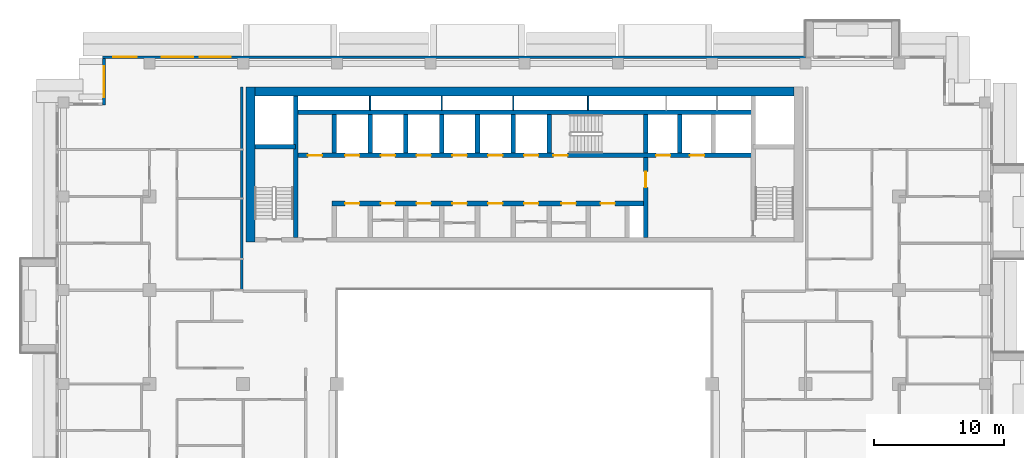
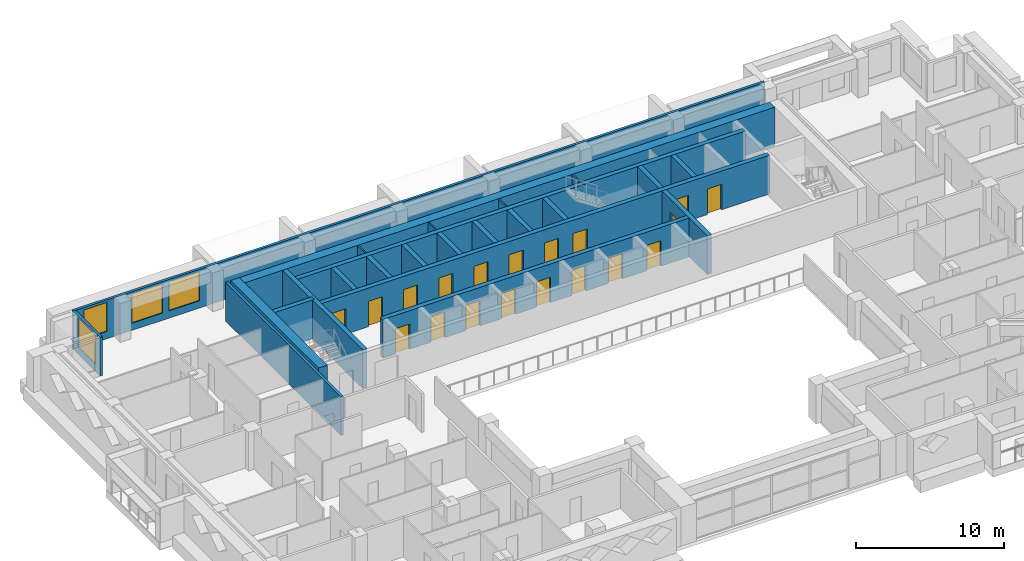
# One storey, part 10 of 20: 24 walls, 19 doors, 4 windows, 23 openings.
"""IFC4 building model written with IfcOpenShell, lengths in metres."""

from ifc_helpers import new_model, si_unit, direction, frame, frame_2d, origin, place, context, subcontext, project, spatial, rectangle, extrude, material, layer, layer_set, type_object, element, fill, save


model = new_model("IFC4")

# Units and contexts
model_context = context("Model", 3, precision=1e-05, world=origin(), true_north=direction((0.0, 1.0)))
body_context = subcontext(model_context, "Body", "Model", "MODEL_VIEW")
ifc_project = project(units=[si_unit("LENGTHUNIT", "METRE"), si_unit("AREAUNIT", "SQUARE_METRE"), si_unit("VOLUMEUNIT", "CUBIC_METRE"), si_unit("PLANEANGLEUNIT", "RADIAN"), si_unit("MASSUNIT", "GRAM", prefix="KILO")], contexts=[model_context])

# Site, building, storey
site_placement = place(None, origin())
site = spatial("IfcSite", under=ifc_project, at=site_placement, CompositionType="ELEMENT")
building_placement = place(site_placement, origin())
building = spatial("IfcBuilding", under=site, at=building_placement, Name="Saffron Iwan Residences", CompositionType="ELEMENT")
storey_placement = place(building_placement, frame((0.0, 0.0, 167.5)))
storey = spatial("IfcBuildingStorey", under=building, at=storey_placement, Name="L44", CompositionType="ELEMENT", Elevation=167.5)

# Wall, openings, windows
ifc_material_1 = material(Name="Concrete C40/50", Category="concrete")
ifc_layer_1 = layer(ifc_material_1, 0.199951171875)
ifc_layer_set_1 = layer_set([ifc_layer_1], Name="Concrete C40/50")
wall_type_1 = type_object("IfcWallType", Name="EXTERNAL WALL 200", PredefinedType="SOLIDWALL", material=ifc_layer_set_1)
wall_1_placement = place(storey_placement, frame((72.0, 80.300048828125, 0.0), z_axis=(0.0, 0.0, 1.0), x_axis=(-1.0, 0.0, 0.0)))
wall_1 = element("IfcWall", 1, at=wall_1_placement, inside=storey, type_object=wall_type_1, Name="External wall L44 F5.2", PredefinedType="SOLIDWALL", context=body_context, shape_type="SweptSolid", body=[
    extrude(rectangle(XDim=54.0, YDim=0.199951171875, at=frame_2d((27.0, 0.0))), origin(), (0.0, 0.0, 1.0), 3.199951171875),
])
opening_1_placement = place(wall_1_placement, frame((44.158203125, 0.0, 0.60009765625)))
opening_1 = element("IfcOpeningElement", 2, at=opening_1_placement, cuts=wall_1, Name="Opening W1", PredefinedType="OPENING", context=body_context, shape_type="SweptSolid", body=[
    extrude(rectangle(XDim=2.39990234375, YDim=2.39990234375, at=frame_2d((1.199951171875, 1.199951171875))), frame((0.0, 0.10986328125, 0.0), z_axis=(0.0, -1.0, 0.0), x_axis=(1.0, 0.0, 0.0)), (0.0, 0.0, 1.0), 0.219970703125),
])
opening_2_placement = place(wall_1_placement, frame((47.041748046875, 0.0, 0.60009765625)))
opening_2 = element("IfcOpeningElement", 3, at=opening_2_placement, cuts=wall_1, Name="Opening W1", PredefinedType="OPENING", context=body_context, shape_type="SweptSolid", body=[
    extrude(rectangle(XDim=2.39990234375, YDim=2.39990234375, at=frame_2d((1.199951171875, 1.199951171875))), frame((0.0, 0.10986328125, 0.0), z_axis=(0.0, -1.0, 0.0), x_axis=(1.0, 0.0, 0.0)), (0.0, 0.0, 1.0), 0.219970703125),
])
opening_3_placement = place(wall_1_placement, frame((51.387451171875, 0.0, 0.60009765625)))
opening_3 = element("IfcOpeningElement", 4, at=opening_3_placement, cuts=wall_1, Name="Opening W8", PredefinedType="OPENING", context=body_context, shape_type="SweptSolid", body=[
    extrude(rectangle(XDim=1.800048828125, YDim=2.39990234375, at=frame_2d((0.89990234375, 1.199951171875))), frame((0.0, 0.10986328125, 0.0), z_axis=(0.0, -1.0, 0.0), x_axis=(1.0, 0.0, 0.0)), (0.0, 0.0, 1.0), 0.219970703125),
])
ifc_material_2 = material(Name="Clear glass, laminated double glazed", Category="glass")
window_type_1 = type_object("IfcWindowType", Name="WINDOW 1800 x 2400", PartitioningType="DOUBLE_PANEL_VERTICAL", PredefinedType="WINDOW", material=ifc_material_2)
window_1_placement = place(opening_3_placement, origin())
window_1 = element("IfcWindow", 5, at=window_1_placement, inside=storey, type_object=window_type_1, Name="Window L44 F5.2", OverallHeight=2.39990234375, OverallWidth=1.800048828125, PartitioningType="DOUBLE_PANEL_VERTICAL", PredefinedType="WINDOW", context=body_context, shape_type="SweptSolid", body=[
    extrude(rectangle(XDim=1.800048828125, YDim=2.39990234375, at=frame_2d((0.89990234375, 1.199951171875))), frame((0.0, 0.030029296875, 0.0), z_axis=(0.0, -1.0, 0.0), x_axis=(1.0, 0.0, 0.0)), (0.0, 0.0, 1.0), 0.06005859375),
])
fill(opening_3, window_1)
window_type_2 = type_object("IfcWindowType", Name="WINDOW 2400 x 2400", PartitioningType="DOUBLE_PANEL_VERTICAL", PredefinedType="WINDOW", material=ifc_material_2)
window_2_placement = place(opening_1_placement, origin())
window_2 = element("IfcWindow", 6, at=window_2_placement, inside=storey, type_object=window_type_2, Name="Window L44 F5.0", OverallHeight=2.39990234375, OverallWidth=2.39990234375, PartitioningType="DOUBLE_PANEL_VERTICAL", PredefinedType="WINDOW", context=body_context, shape_type="SweptSolid", body=[
    extrude(rectangle(XDim=2.39990234375, YDim=2.39990234375, at=frame_2d((1.199951171875, 1.199951171875))), frame((0.0, 0.030029296875, 0.0), z_axis=(0.0, -1.0, 0.0), x_axis=(1.0, 0.0, 0.0)), (0.0, 0.0, 1.0), 0.06005859375),
])
fill(opening_1, window_2)
window_3_placement = place(opening_2_placement, origin())
window_3 = element("IfcWindow", 7, at=window_3_placement, inside=storey, type_object=window_type_2, Name="Window L44 F5.1", OverallHeight=2.39990234375, OverallWidth=2.39990234375, PartitioningType="DOUBLE_PANEL_VERTICAL", PredefinedType="WINDOW", context=body_context, shape_type="SweptSolid", body=[
    extrude(rectangle(XDim=2.39990234375, YDim=2.39990234375, at=frame_2d((1.199951171875, 1.199951171875))), frame((0.0, 0.030029296875, 0.0), z_axis=(0.0, -1.0, 0.0), x_axis=(1.0, 0.0, 0.0)), (0.0, 0.0, 1.0), 0.06005859375),
])
fill(opening_2, window_3)

# Wall, opening, window
wall_2_placement = place(storey_placement, frame((18.10009765625, 80.199951171875, 0.0), z_axis=(0.0, 0.0, 1.0), x_axis=(0.0, -1.0, 0.0)))
wall_2 = element("IfcWall", 8, at=wall_2_placement, inside=storey, type_object=wall_type_1, Name="External wall L44 F6.0", PredefinedType="SOLIDWALL", context=body_context, shape_type="SweptSolid", body=[
    extrude(rectangle(XDim=3.599853515625, YDim=0.199951171875, at=frame_2d((1.7998046875, 0.0))), origin(), (0.0, 0.0, 1.0), 3.199951171875),
])
opening_4_placement = place(wall_2_placement, frame((0.60009765625, 0.0, 0.60009765625)))
opening_4 = element("IfcOpeningElement", 9, at=opening_4_placement, cuts=wall_2, Name="Opening W1", PredefinedType="OPENING", context=body_context, shape_type="SweptSolid", body=[
    extrude(rectangle(XDim=2.39990234375, YDim=2.39990234375, at=frame_2d((1.199951171875, 1.199951171875))), frame((0.0, 0.10986328125, 0.0), z_axis=(0.0, -1.0, 0.0), x_axis=(1.0, 0.0, 0.0)), (0.0, 0.0, 1.0), 0.219970703125),
])
window_4_placement = place(opening_4_placement, origin())
window_4 = element("IfcWindow", 10, at=window_4_placement, inside=storey, type_object=window_type_2, Name="Window L44 F6.0", OverallHeight=2.39990234375, OverallWidth=2.39990234375, PartitioningType="DOUBLE_PANEL_VERTICAL", PredefinedType="WINDOW", context=body_context, shape_type="SweptSolid", body=[
    extrude(rectangle(XDim=2.39990234375, YDim=2.39990234375, at=frame_2d((1.199951171875, 1.199951171875))), frame((0.0, 0.030029296875, 0.0), z_axis=(0.0, -1.0, 0.0), x_axis=(1.0, 0.0, 0.0)), (0.0, 0.0, 1.0), 0.06005859375),
])
fill(opening_4, window_4)

# Walls
ifc_material_3 = material(Name="Fire-rated gypsum board wall")
ifc_layer_2 = layer(ifc_material_3, 0.199951171875)
ifc_layer_set_2 = layer_set([ifc_layer_2], Name="Fire-rated gypsum board wall")
wall_type_2 = type_object("IfcWallType", Name="Gallery wall 200", PredefinedType="SOLIDWALL", material=ifc_layer_set_2)
wall_3_placement = place(storey_placement, frame((28.699951171875, 62.39990234375, 0.0), z_axis=(0.0, 0.0, 1.0), x_axis=(0.0, 1.0, 0.0)))
element("IfcWall", 11, at=wall_3_placement, inside=storey, type_object=wall_type_2, Name="W-L44-CORR-v28.8-62.4", PredefinedType="SOLIDWALL", context=body_context, shape_type="SweptSolid", body=[
    extrude(rectangle(XDim=15.60009765625, YDim=0.199951171875, at=frame_2d((7.800048828125, 0.0))), origin(), (0.0, 0.0, 1.0), 3.199951171875),
])
ifc_material_4 = material(Name="Fire-rated plasterboard partition")
ifc_layer_3 = layer(ifc_material_4, 0.10009765625)
ifc_layer_set_3 = layer_set([ifc_layer_3], Name="Fire-rated plasterboard partition")
wall_type_3 = type_object("IfcWallType", Name="Riser partition 100", PredefinedType="PARTITIONING", material=ifc_layer_set_3)
for number, where, z_axis, x_axis, name in (
    (12, (38.550048828125, 76.22509765625, 0.0), (0.0, 0.0, 1.0), (0.0, 1.0, 0.0), "Core partition P06"),
    (13, (44.050048828125, 76.22509765625, 0.0), (0.0, 0.0, 1.0), (0.0, 1.0, 0.0), "Core partition P07"),
    (14, (49.550048828125, 76.22509765625, 0.0), (0.0, 0.0, 1.0), (0.0, 1.0, 0.0), "Core partition P08"),
    (15, (55.300048828125, 76.22509765625, 0.0), (0.0, 0.0, 1.0), (0.0, 1.0, 0.0), "Core partition P09"),
):
    element("IfcWall", number, at=place(storey_placement, frame(where, z_axis=z_axis, x_axis=x_axis)), inside=storey, type_object=wall_type_3, Name=name, PredefinedType="PARTITIONING", context=body_context, shape_type="SweptSolid", body=[
        extrude(rectangle(XDim=1.074951171875, YDim=0.10009765625, at=frame_2d((0.53759765625, 0.0))), origin(), (0.0, 0.0, 1.0), 3.199951171875),
    ])

# Wall, openings, doors
ifc_material_5 = material(Name="Concrete C50/60", Category="concrete")
ifc_layer_4 = layer(ifc_material_5, 0.35009765625)
ifc_layer_set_4 = layer_set([ifc_layer_4], Name="Concrete C50/60")
wall_type_4 = type_object("IfcWallType", Name="WALL CORE 350 C50/60 3200 HIGH", PredefinedType="SHEAR", material=ifc_layer_set_4)
wall_4_placement = place(storey_placement, frame((35.625, 69.050048828125, 0.0), z_axis=(0.0, 0.0, 1.0), x_axis=(1.0, 0.0, 0.0)))
wall_4 = element("IfcWall", 16, at=wall_4_placement, inside=storey, type_object=wall_type_4, Name="Core wall", PredefinedType="SHEAR", context=body_context, shape_type="SweptSolid", body=[
    extrude(rectangle(XDim=24.10009765625, YDim=0.35009765625, at=frame_2d((12.050048828125, 0.0))), origin(), (0.0, 0.0, 1.0), 3.199951171875),
])
opening_5_placement = place(wall_4_placement, frame((1.0, 0.0, 0.0)))
opening_5 = element("IfcOpeningElement", 17, at=opening_5_placement, cuts=wall_4, Name="Opening SR", PredefinedType="OPENING", context=body_context, shape_type="SweptSolid", body=[
    extrude(rectangle(XDim=1.10009765625, YDim=2.10009765625, at=frame_2d((0.550048828125, 1.050048828125))), frame((0.0, 0.18505859375, 0.0), z_axis=(0.0, -1.0, 0.0), x_axis=(1.0, 0.0, 0.0)), (0.0, 0.0, 1.0), 0.3701171875),
])
opening_6_placement = place(wall_4_placement, frame((3.75, 0.0, 0.0)))
opening_6 = element("IfcOpeningElement", 18, at=opening_6_placement, cuts=wall_4, Name="Opening SR", PredefinedType="OPENING", context=body_context, shape_type="SweptSolid", body=[
    extrude(rectangle(XDim=1.10009765625, YDim=2.10009765625, at=frame_2d((0.550048828125, 1.050048828125))), frame((0.0, 0.18505859375, 0.0), z_axis=(0.0, -1.0, 0.0), x_axis=(1.0, 0.0, 0.0)), (0.0, 0.0, 1.0), 0.3701171875),
])
opening_7_placement = place(wall_4_placement, frame((6.5, 0.0, 0.0)))
opening_7 = element("IfcOpeningElement", 19, at=opening_7_placement, cuts=wall_4, Name="Opening SR", PredefinedType="OPENING", context=body_context, shape_type="SweptSolid", body=[
    extrude(rectangle(XDim=1.10009765625, YDim=2.10009765625, at=frame_2d((0.550048828125, 1.050048828125))), frame((0.0, 0.18505859375, 0.0), z_axis=(0.0, -1.0, 0.0), x_axis=(1.0, 0.0, 0.0)), (0.0, 0.0, 1.0), 0.3701171875),
])
opening_8_placement = place(wall_4_placement, frame((9.25, 0.0, 0.0)))
opening_8 = element("IfcOpeningElement", 20, at=opening_8_placement, cuts=wall_4, Name="Opening SR", PredefinedType="OPENING", context=body_context, shape_type="SweptSolid", body=[
    extrude(rectangle(XDim=1.10009765625, YDim=2.10009765625, at=frame_2d((0.550048828125, 1.050048828125))), frame((0.0, 0.18505859375, 0.0), z_axis=(0.0, -1.0, 0.0), x_axis=(1.0, 0.0, 0.0)), (0.0, 0.0, 1.0), 0.3701171875),
])
opening_9_placement = place(wall_4_placement, frame((12.0, 0.0, 0.0)))
opening_9 = element("IfcOpeningElement", 21, at=opening_9_placement, cuts=wall_4, Name="Opening SR", PredefinedType="OPENING", context=body_context, shape_type="SweptSolid", body=[
    extrude(rectangle(XDim=1.10009765625, YDim=2.10009765625, at=frame_2d((0.550048828125, 1.050048828125))), frame((0.0, 0.18505859375, 0.0), z_axis=(0.0, -1.0, 0.0), x_axis=(1.0, 0.0, 0.0)), (0.0, 0.0, 1.0), 0.3701171875),
])
opening_10_placement = place(wall_4_placement, frame((14.75, 0.0, 0.0)))
opening_10 = element("IfcOpeningElement", 22, at=opening_10_placement, cuts=wall_4, Name="Opening SR", PredefinedType="OPENING", context=body_context, shape_type="SweptSolid", body=[
    extrude(rectangle(XDim=1.10009765625, YDim=2.10009765625, at=frame_2d((0.550048828125, 1.050048828125))), frame((0.0, 0.18505859375, 0.0), z_axis=(0.0, -1.0, 0.0), x_axis=(1.0, 0.0, 0.0)), (0.0, 0.0, 1.0), 0.3701171875),
])
opening_11_placement = place(wall_4_placement, frame((17.625, 0.0, 0.0)))
opening_11 = element("IfcOpeningElement", 23, at=opening_11_placement, cuts=wall_4, Name="Opening SR", PredefinedType="OPENING", context=body_context, shape_type="SweptSolid", body=[
    extrude(rectangle(XDim=1.10009765625, YDim=2.10009765625, at=frame_2d((0.550048828125, 1.050048828125))), frame((0.0, 0.18505859375, 0.0), z_axis=(0.0, -1.0, 0.0), x_axis=(1.0, 0.0, 0.0)), (0.0, 0.0, 1.0), 0.3701171875),
])
opening_12_placement = place(wall_4_placement, frame((20.625, 0.0, 0.0)))
opening_12 = element("IfcOpeningElement", 24, at=opening_12_placement, cuts=wall_4, Name="Opening SR", PredefinedType="OPENING", context=body_context, shape_type="SweptSolid", body=[
    extrude(rectangle(XDim=1.10009765625, YDim=2.10009765625, at=frame_2d((0.550048828125, 1.050048828125))), frame((0.0, 0.18505859375, 0.0), z_axis=(0.0, -1.0, 0.0), x_axis=(1.0, 0.0, 0.0)), (0.0, 0.0, 1.0), 0.3701171875),
])
ifc_material_6 = material(Name="Steel fire door", Category="steel")
door_type_1 = type_object("IfcDoorType", Name="Service door 1100", OperationType="NOTDEFINED", PredefinedType="DOOR", material=ifc_material_6)
door_1_placement = place(opening_5_placement, origin())
door_1 = element("IfcDoor", 25, at=door_1_placement, inside=storey, type_object=door_type_1, Name="Door Cleaner's store", OperationType="SINGLE_SWING_RIGHT", OverallHeight=2.10009765625, OverallWidth=1.10009765625, PredefinedType="DOOR", context=body_context, shape_type="SweptSolid", body=[
    extrude(rectangle(XDim=1.10009765625, YDim=2.10009765625, at=frame_2d((0.550048828125, 1.050048828125))), frame((0.0, 0.02490234375, 0.0), z_axis=(0.0, -1.0, 0.0), x_axis=(1.0, 0.0, 0.0)), (0.0, 0.0, 1.0), 0.050048828125),
])
fill(opening_5, door_1)
door_2_placement = place(opening_6_placement, origin())
door_2 = element("IfcDoor", 26, at=door_2_placement, inside=storey, type_object=door_type_1, Name="Door Trolley store", OperationType="SINGLE_SWING_LEFT", OverallHeight=2.10009765625, OverallWidth=1.10009765625, PredefinedType="DOOR", context=body_context, shape_type="SweptSolid", body=[
    extrude(rectangle(XDim=1.10009765625, YDim=2.10009765625, at=frame_2d((0.550048828125, 1.050048828125))), frame((0.0, 0.02490234375, 0.0), z_axis=(0.0, -1.0, 0.0), x_axis=(1.0, 0.0, 0.0)), (0.0, 0.0, 1.0), 0.050048828125),
])
fill(opening_6, door_2)
door_3_placement = place(opening_7_placement, origin())
door_3 = element("IfcDoor", 27, at=door_3_placement, inside=storey, type_object=door_type_1, Name="Door Communications room", OperationType="SINGLE_SWING_RIGHT", OverallHeight=2.10009765625, OverallWidth=1.10009765625, PredefinedType="DOOR", context=body_context, shape_type="SweptSolid", body=[
    extrude(rectangle(XDim=1.10009765625, YDim=2.10009765625, at=frame_2d((0.550048828125, 1.050048828125))), frame((0.0, 0.02490234375, 0.0), z_axis=(0.0, -1.0, 0.0), x_axis=(1.0, 0.0, 0.0)), (0.0, 0.0, 1.0), 0.050048828125),
])
fill(opening_7, door_3)
door_4_placement = place(opening_8_placement, origin())
door_4 = element("IfcDoor", 28, at=door_4_placement, inside=storey, type_object=door_type_1, Name="Door Switch room", OperationType="SINGLE_SWING_LEFT", OverallHeight=2.10009765625, OverallWidth=1.10009765625, PredefinedType="DOOR", context=body_context, shape_type="SweptSolid", body=[
    extrude(rectangle(XDim=1.10009765625, YDim=2.10009765625, at=frame_2d((0.550048828125, 1.050048828125))), frame((0.0, 0.02490234375, 0.0), z_axis=(0.0, -1.0, 0.0), x_axis=(1.0, 0.0, 0.0)), (0.0, 0.0, 1.0), 0.050048828125),
])
fill(opening_8, door_4)
door_5_placement = place(opening_9_placement, origin())
door_5 = element("IfcDoor", 29, at=door_5_placement, inside=storey, type_object=door_type_1, Name="Door Furniture store", OperationType="SINGLE_SWING_RIGHT", OverallHeight=2.10009765625, OverallWidth=1.10009765625, PredefinedType="DOOR", context=body_context, shape_type="SweptSolid", body=[
    extrude(rectangle(XDim=1.10009765625, YDim=2.10009765625, at=frame_2d((0.550048828125, 1.050048828125))), frame((0.0, 0.02490234375, 0.0), z_axis=(0.0, -1.0, 0.0), x_axis=(1.0, 0.0, 0.0)), (0.0, 0.0, 1.0), 0.050048828125),
])
fill(opening_9, door_5)
door_6_placement = place(opening_10_placement, origin())
door_6 = element("IfcDoor", 30, at=door_6_placement, inside=storey, type_object=door_type_1, Name="Door Housekeeping store", OperationType="SINGLE_SWING_LEFT", OverallHeight=2.10009765625, OverallWidth=1.10009765625, PredefinedType="DOOR", context=body_context, shape_type="SweptSolid", body=[
    extrude(rectangle(XDim=1.10009765625, YDim=2.10009765625, at=frame_2d((0.550048828125, 1.050048828125))), frame((0.0, 0.02490234375, 0.0), z_axis=(0.0, -1.0, 0.0), x_axis=(1.0, 0.0, 0.0)), (0.0, 0.0, 1.0), 0.050048828125),
])
fill(opening_10, door_6)
door_7_placement = place(opening_11_placement, origin())
door_7 = element("IfcDoor", 31, at=door_7_placement, inside=storey, type_object=door_type_1, Name="Door Pantry", OperationType="SINGLE_SWING_RIGHT", OverallHeight=2.10009765625, OverallWidth=1.10009765625, PredefinedType="DOOR", context=body_context, shape_type="SweptSolid", body=[
    extrude(rectangle(XDim=1.10009765625, YDim=2.10009765625, at=frame_2d((0.550048828125, 1.050048828125))), frame((0.0, 0.02490234375, 0.0), z_axis=(0.0, -1.0, 0.0), x_axis=(1.0, 0.0, 0.0)), (0.0, 0.0, 1.0), 0.050048828125),
])
fill(opening_11, door_7)
door_8_placement = place(opening_12_placement, origin())
door_8 = element("IfcDoor", 32, at=door_8_placement, inside=storey, type_object=door_type_1, Name="Door Electrical room", OperationType="SINGLE_SWING_RIGHT", OverallHeight=2.10009765625, OverallWidth=1.10009765625, PredefinedType="DOOR", context=body_context, shape_type="SweptSolid", body=[
    extrude(rectangle(XDim=1.10009765625, YDim=2.10009765625, at=frame_2d((0.550048828125, 1.050048828125))), frame((0.0, 0.02490234375, 0.0), z_axis=(0.0, -1.0, 0.0), x_axis=(1.0, 0.0, 0.0)), (0.0, 0.0, 1.0), 0.050048828125),
])
fill(opening_12, door_8)

wall_5_placement = place(storey_placement, frame((32.824951171875, 72.75, 0.0), z_axis=(0.0, 0.0, 1.0), x_axis=(1.0, 0.0, 0.0)))
wall_5 = element("IfcWall", 33, at=wall_5_placement, inside=storey, type_object=wall_type_4, Name="Core wall", PredefinedType="SHEAR", context=body_context, shape_type="SweptSolid", body=[
    extrude(rectangle(XDim=35.150146484375, YDim=0.35009765625, at=frame_2d((17.5751953125, 0.0))), origin(), (0.0, 0.0, 1.0), 3.199951171875),
])
opening_13_placement = place(wall_5_placement, frame((19.800048828125, 0.0, 0.0)))
opening_13 = element("IfcOpeningElement", 34, at=opening_13_placement, cuts=wall_5, Name="Opening SD", PredefinedType="OPENING", context=body_context, shape_type="SweptSolid", body=[
    extrude(rectangle(XDim=1.10009765625, YDim=2.10009765625, at=frame_2d((0.550048828125, 1.050048828125))), frame((0.0, 0.18505859375, 0.0), z_axis=(0.0, -1.0, 0.0), x_axis=(1.0, 0.0, 0.0)), (0.0, 0.0, 1.0), 0.3701171875),
])
opening_14_placement = place(wall_5_placement, frame((27.699951171875, 0.0, 0.0)))
opening_14 = element("IfcOpeningElement", 35, at=opening_14_placement, cuts=wall_5, Name="Opening LD", PredefinedType="OPENING", context=body_context, shape_type="SweptSolid", body=[
    extrude(rectangle(XDim=1.10009765625, YDim=2.10009765625, at=frame_2d((0.550048828125, 1.050048828125))), frame((0.0, 0.18505859375, 0.0), z_axis=(0.0, -1.0, 0.0), x_axis=(1.0, 0.0, 0.0)), (0.0, 0.0, 1.0), 0.3701171875),
])
opening_15_placement = place(wall_5_placement, frame((30.300048828125, 0.0, 0.0)))
opening_15 = element("IfcOpeningElement", 36, at=opening_15_placement, cuts=wall_5, Name="Opening LD", PredefinedType="OPENING", context=body_context, shape_type="SweptSolid", body=[
    extrude(rectangle(XDim=1.10009765625, YDim=2.10009765625, at=frame_2d((0.550048828125, 1.050048828125))), frame((0.0, 0.18505859375, 0.0), z_axis=(0.0, -1.0, 0.0), x_axis=(1.0, 0.0, 0.0)), (0.0, 0.0, 1.0), 0.3701171875),
])
opening_16_placement = place(wall_5_placement, frame((3.800048828125, 0.0, 0.0)))
opening_16 = element("IfcOpeningElement", 37, at=opening_16_placement, cuts=wall_5, Name="Opening LD", PredefinedType="OPENING", context=body_context, shape_type="SweptSolid", body=[
    extrude(rectangle(XDim=1.10009765625, YDim=2.10009765625, at=frame_2d((0.550048828125, 1.050048828125))), frame((0.0, 0.18505859375, 0.0), z_axis=(0.0, -1.0, 0.0), x_axis=(1.0, 0.0, 0.0)), (0.0, 0.0, 1.0), 0.3701171875),
])
opening_17_placement = place(wall_5_placement, frame((6.550048828125, 0.0, 0.0)))
opening_17 = element("IfcOpeningElement", 38, at=opening_17_placement, cuts=wall_5, Name="Opening LD", PredefinedType="OPENING", context=body_context, shape_type="SweptSolid", body=[
    extrude(rectangle(XDim=1.10009765625, YDim=2.10009765625, at=frame_2d((0.550048828125, 1.050048828125))), frame((0.0, 0.18505859375, 0.0), z_axis=(0.0, -1.0, 0.0), x_axis=(1.0, 0.0, 0.0)), (0.0, 0.0, 1.0), 0.3701171875),
])
opening_18_placement = place(wall_5_placement, frame((9.300048828125, 0.0, 0.0)))
opening_18 = element("IfcOpeningElement", 39, at=opening_18_placement, cuts=wall_5, Name="Opening LD", PredefinedType="OPENING", context=body_context, shape_type="SweptSolid", body=[
    extrude(rectangle(XDim=1.10009765625, YDim=2.10009765625, at=frame_2d((0.550048828125, 1.050048828125))), frame((0.0, 0.18505859375, 0.0), z_axis=(0.0, -1.0, 0.0), x_axis=(1.0, 0.0, 0.0)), (0.0, 0.0, 1.0), 0.3701171875),
])
opening_19_placement = place(wall_5_placement, frame((12.050048828125, 0.0, 0.0)))
opening_19 = element("IfcOpeningElement", 40, at=opening_19_placement, cuts=wall_5, Name="Opening LD", PredefinedType="OPENING", context=body_context, shape_type="SweptSolid", body=[
    extrude(rectangle(XDim=1.10009765625, YDim=2.10009765625, at=frame_2d((0.550048828125, 1.050048828125))), frame((0.0, 0.18505859375, 0.0), z_axis=(0.0, -1.0, 0.0), x_axis=(1.0, 0.0, 0.0)), (0.0, 0.0, 1.0), 0.3701171875),
])
opening_20_placement = place(wall_5_placement, frame((14.800048828125, 0.0, 0.0)))
opening_20 = element("IfcOpeningElement", 41, at=opening_20_placement, cuts=wall_5, Name="Opening LD", PredefinedType="OPENING", context=body_context, shape_type="SweptSolid", body=[
    extrude(rectangle(XDim=1.10009765625, YDim=2.10009765625, at=frame_2d((0.550048828125, 1.050048828125))), frame((0.0, 0.18505859375, 0.0), z_axis=(0.0, -1.0, 0.0), x_axis=(1.0, 0.0, 0.0)), (0.0, 0.0, 1.0), 0.3701171875),
])
opening_21_placement = place(wall_5_placement, frame((17.550048828125, 0.0, 0.0)))
opening_21 = element("IfcOpeningElement", 42, at=opening_21_placement, cuts=wall_5, Name="Opening LD", PredefinedType="OPENING", context=body_context, shape_type="SweptSolid", body=[
    extrude(rectangle(XDim=1.10009765625, YDim=2.10009765625, at=frame_2d((0.550048828125, 1.050048828125))), frame((0.0, 0.18505859375, 0.0), z_axis=(0.0, -1.0, 0.0), x_axis=(1.0, 0.0, 0.0)), (0.0, 0.0, 1.0), 0.3701171875),
])
opening_22_placement = place(wall_5_placement, frame((0.9375, 0.0, 0.0)))
opening_22 = element("IfcOpeningElement", 43, at=opening_22_placement, cuts=wall_5, Name="Opening SR", PredefinedType="OPENING", context=body_context, shape_type="SweptSolid", body=[
    extrude(rectangle(XDim=1.10009765625, YDim=2.10009765625, at=frame_2d((0.550048828125, 1.050048828125))), frame((0.0, 0.18505859375, 0.0), z_axis=(0.0, -1.0, 0.0), x_axis=(1.0, 0.0, 0.0)), (0.0, 0.0, 1.0), 0.3701171875),
])
door_type_2 = type_object("IfcDoorType", Name="Lift landing door 1100", OperationType="SLIDING_TO_LEFT", PredefinedType="DOOR", material=ifc_material_6)
door_9_placement = place(opening_14_placement, origin())
door_9 = element("IfcDoor", 44, at=door_9_placement, inside=storey, type_object=door_type_2, Name="Landing doors FF1", OperationType="SLIDING_TO_LEFT", OverallHeight=2.10009765625, OverallWidth=1.10009765625, PredefinedType="DOOR", context=body_context, shape_type="SweptSolid", body=[
    extrude(rectangle(XDim=1.10009765625, YDim=2.10009765625, at=frame_2d((0.550048828125, 1.050048828125))), frame((0.0, 0.02490234375, 0.0), z_axis=(0.0, -1.0, 0.0), x_axis=(1.0, 0.0, 0.0)), (0.0, 0.0, 1.0), 0.050048828125),
])
fill(opening_14, door_9)
door_10_placement = place(opening_15_placement, origin())
door_10 = element("IfcDoor", 45, at=door_10_placement, inside=storey, type_object=door_type_2, Name="Landing doors FF2", OperationType="SLIDING_TO_LEFT", OverallHeight=2.10009765625, OverallWidth=1.10009765625, PredefinedType="DOOR", context=body_context, shape_type="SweptSolid", body=[
    extrude(rectangle(XDim=1.10009765625, YDim=2.10009765625, at=frame_2d((0.550048828125, 1.050048828125))), frame((0.0, 0.02490234375, 0.0), z_axis=(0.0, -1.0, 0.0), x_axis=(1.0, 0.0, 0.0)), (0.0, 0.0, 1.0), 0.050048828125),
])
fill(opening_15, door_10)
door_11_placement = place(opening_16_placement, origin())
door_11 = element("IfcDoor", 46, at=door_11_placement, inside=storey, type_object=door_type_2, Name="Landing doors HR1", OperationType="SLIDING_TO_LEFT", OverallHeight=2.10009765625, OverallWidth=1.10009765625, PredefinedType="DOOR", context=body_context, shape_type="SweptSolid", body=[
    extrude(rectangle(XDim=1.10009765625, YDim=2.10009765625, at=frame_2d((0.550048828125, 1.050048828125))), frame((0.0, 0.02490234375, 0.0), z_axis=(0.0, -1.0, 0.0), x_axis=(1.0, 0.0, 0.0)), (0.0, 0.0, 1.0), 0.050048828125),
])
fill(opening_16, door_11)
door_12_placement = place(opening_17_placement, origin())
door_12 = element("IfcDoor", 47, at=door_12_placement, inside=storey, type_object=door_type_2, Name="Landing doors HR2", OperationType="SLIDING_TO_LEFT", OverallHeight=2.10009765625, OverallWidth=1.10009765625, PredefinedType="DOOR", context=body_context, shape_type="SweptSolid", body=[
    extrude(rectangle(XDim=1.10009765625, YDim=2.10009765625, at=frame_2d((0.550048828125, 1.050048828125))), frame((0.0, 0.02490234375, 0.0), z_axis=(0.0, -1.0, 0.0), x_axis=(1.0, 0.0, 0.0)), (0.0, 0.0, 1.0), 0.050048828125),
])
fill(opening_17, door_12)
door_13_placement = place(opening_18_placement, origin())
door_13 = element("IfcDoor", 48, at=door_13_placement, inside=storey, type_object=door_type_2, Name="Landing doors HR3", OperationType="SLIDING_TO_LEFT", OverallHeight=2.10009765625, OverallWidth=1.10009765625, PredefinedType="DOOR", context=body_context, shape_type="SweptSolid", body=[
    extrude(rectangle(XDim=1.10009765625, YDim=2.10009765625, at=frame_2d((0.550048828125, 1.050048828125))), frame((0.0, 0.02490234375, 0.0), z_axis=(0.0, -1.0, 0.0), x_axis=(1.0, 0.0, 0.0)), (0.0, 0.0, 1.0), 0.050048828125),
])
fill(opening_18, door_13)
door_14_placement = place(opening_19_placement, origin())
door_14 = element("IfcDoor", 49, at=door_14_placement, inside=storey, type_object=door_type_2, Name="Landing doors HR4", OperationType="SLIDING_TO_LEFT", OverallHeight=2.10009765625, OverallWidth=1.10009765625, PredefinedType="DOOR", context=body_context, shape_type="SweptSolid", body=[
    extrude(rectangle(XDim=1.10009765625, YDim=2.10009765625, at=frame_2d((0.550048828125, 1.050048828125))), frame((0.0, 0.02490234375, 0.0), z_axis=(0.0, -1.0, 0.0), x_axis=(1.0, 0.0, 0.0)), (0.0, 0.0, 1.0), 0.050048828125),
])
fill(opening_19, door_14)
door_15_placement = place(opening_20_placement, origin())
door_15 = element("IfcDoor", 50, at=door_15_placement, inside=storey, type_object=door_type_2, Name="Landing doors HR5", OperationType="SLIDING_TO_LEFT", OverallHeight=2.10009765625, OverallWidth=1.10009765625, PredefinedType="DOOR", context=body_context, shape_type="SweptSolid", body=[
    extrude(rectangle(XDim=1.10009765625, YDim=2.10009765625, at=frame_2d((0.550048828125, 1.050048828125))), frame((0.0, 0.02490234375, 0.0), z_axis=(0.0, -1.0, 0.0), x_axis=(1.0, 0.0, 0.0)), (0.0, 0.0, 1.0), 0.050048828125),
])
fill(opening_20, door_15)
door_16_placement = place(opening_21_placement, origin())
door_16 = element("IfcDoor", 51, at=door_16_placement, inside=storey, type_object=door_type_2, Name="Landing doors HR6", OperationType="SLIDING_TO_LEFT", OverallHeight=2.10009765625, OverallWidth=1.10009765625, PredefinedType="DOOR", context=body_context, shape_type="SweptSolid", body=[
    extrude(rectangle(XDim=1.10009765625, YDim=2.10009765625, at=frame_2d((0.550048828125, 1.050048828125))), frame((0.0, 0.02490234375, 0.0), z_axis=(0.0, -1.0, 0.0), x_axis=(1.0, 0.0, 0.0)), (0.0, 0.0, 1.0), 0.050048828125),
])
fill(opening_21, door_16)
door_17_placement = place(opening_22_placement, origin())
door_17 = element("IfcDoor", 52, at=door_17_placement, inside=storey, type_object=door_type_1, Name="Door Storage room", OperationType="SINGLE_SWING_LEFT", OverallHeight=2.10009765625, OverallWidth=1.10009765625, PredefinedType="DOOR", context=body_context, shape_type="SweptSolid", body=[
    extrude(rectangle(XDim=1.10009765625, YDim=2.10009765625, at=frame_2d((0.550048828125, 1.050048828125))), frame((0.0, 0.02490234375, 0.0), z_axis=(0.0, -1.0, 0.0), x_axis=(1.0, 0.0, 0.0)), (0.0, 0.0, 1.0), 0.050048828125),
])
fill(opening_22, door_17)
door_type_3 = type_object("IfcDoorType", Name="Stair door 1100", OperationType="NOTDEFINED", PredefinedType="DOOR", material=ifc_material_6)
door_18_placement = place(opening_13_placement, origin())
door_18 = element("IfcDoor", 53, at=door_18_placement, inside=storey, type_object=door_type_3, Name="Stair door ST-C", OperationType="SINGLE_SWING_LEFT", OverallHeight=2.10009765625, OverallWidth=1.10009765625, PredefinedType="DOOR", context=body_context, shape_type="SweptSolid", body=[
    extrude(rectangle(XDim=1.10009765625, YDim=2.10009765625, at=frame_2d((0.550048828125, 1.050048828125))), frame((0.0, 0.02490234375, 0.0), z_axis=(0.0, -1.0, 0.0), x_axis=(1.0, 0.0, 0.0)), (0.0, 0.0, 1.0), 0.050048828125),
])
fill(opening_13, door_18)

# Walls
wall_6_placement = place(storey_placement, frame((32.824951171875, 76.050048828125, 0.0), z_axis=(0.0, 0.0, 1.0), x_axis=(1.0, 0.0, 0.0)))
element("IfcWall", 54, at=wall_6_placement, inside=storey, type_object=wall_type_4, Name="Core wall", PredefinedType="SHEAR", context=body_context, shape_type="SweptSolid", body=[
    extrude(rectangle(XDim=35.150146484375, YDim=0.35009765625, at=frame_2d((17.5751953125, 0.0))), origin(), (0.0, 0.0, 1.0), 3.199951171875),
])
wall_7_placement = place(storey_placement, frame((29.699951171875, 73.425048828125, 0.0), z_axis=(0.0, 0.0, 1.0), x_axis=(1.0, 0.0, 0.0)))
element("IfcWall", 55, at=wall_7_placement, inside=storey, type_object=wall_type_4, Name="Core wall", PredefinedType="SHEAR", context=body_context, shape_type="SweptSolid", body=[
    extrude(rectangle(XDim=3.125, YDim=0.35009765625, at=frame_2d((1.5625, 0.0))), origin(), (0.0, 0.0, 1.0), 3.199951171875),
])
wall_8_placement = place(storey_placement, frame((32.824951171875, 66.449951171875, 0.0), z_axis=(0.0, 0.0, 1.0), x_axis=(0.0, 1.0, 0.0)))
element("IfcWall", 56, at=wall_8_placement, inside=storey, type_object=wall_type_4, Name="Core wall", PredefinedType="SHEAR", context=body_context, shape_type="SweptSolid", body=[
    extrude(rectangle(XDim=10.85009765625, YDim=0.35009765625, at=frame_2d((5.425048828125, 0.0))), origin(), (0.0, 0.0, 1.0), 3.199951171875),
])

# Wall, opening, door
wall_9_placement = place(storey_placement, frame((59.72509765625, 66.449951171875, 0.0), z_axis=(0.0, 0.0, 1.0), x_axis=(0.0, 1.0, 0.0)))
wall_9 = element("IfcWall", 57, at=wall_9_placement, inside=storey, type_object=wall_type_4, Name="Core wall", PredefinedType="SHEAR", context=body_context, shape_type="SweptSolid", body=[
    extrude(rectangle(XDim=6.125, YDim=0.35009765625, at=frame_2d((3.0625, 0.0))), origin(), (0.0, 0.0, 1.0), 3.199951171875),
])
opening_23_placement = place(wall_9_placement, frame((3.85009765625, 0.0, 0.0)))
opening_23 = element("IfcOpeningElement", 58, at=opening_23_placement, cuts=wall_9, Name="Opening FD", PredefinedType="OPENING", context=body_context, shape_type="SweptSolid", body=[
    extrude(rectangle(XDim=1.199951171875, YDim=2.10009765625, at=frame_2d((0.60009765625, 1.050048828125))), frame((0.0, 0.18505859375, 0.0), z_axis=(0.0, -1.0, 0.0), x_axis=(1.0, 0.0, 0.0)), (0.0, 0.0, 1.0), 0.3701171875),
])
door_type_4 = type_object("IfcDoorType", Name="Firefighting lobby door 1200", OperationType="NOTDEFINED", PredefinedType="DOOR", material=ifc_material_6)
door_19_placement = place(opening_23_placement, origin())
door_19 = element("IfcDoor", 59, at=door_19_placement, inside=storey, type_object=door_type_4, Name="Firefighting lobby door", OperationType="SINGLE_SWING_LEFT", OverallHeight=2.10009765625, OverallWidth=1.199951171875, PredefinedType="DOOR", context=body_context, shape_type="SweptSolid", body=[
    extrude(rectangle(XDim=1.199951171875, YDim=2.10009765625, at=frame_2d((0.60009765625, 1.050048828125))), frame((0.0, 0.02490234375, 0.0), z_axis=(0.0, -1.0, 0.0), x_axis=(1.0, 0.0, 0.0)), (0.0, 0.0, 1.0), 0.050048828125),
])
fill(opening_23, door_19)

# Walls
for number, where, z_axis, x_axis, name in (
    (60, (59.72509765625, 72.925048828125, 0.0), (0.0, 0.0, 1.0), (0.0, 1.0, 0.0), "Core wall"),
    (61, (35.800048828125, 72.925048828125, 0.0), (0.0, 0.0, 1.0), (0.0, 1.0, 0.0), "Core wall"),
    (62, (38.550048828125, 72.925048828125, 0.0), (0.0, 0.0, 1.0), (0.0, 1.0, 0.0), "Core wall"),
    (63, (41.300048828125, 72.925048828125, 0.0), (0.0, 0.0, 1.0), (0.0, 1.0, 0.0), "Core wall"),
    (64, (44.050048828125, 72.925048828125, 0.0), (0.0, 0.0, 1.0), (0.0, 1.0, 0.0), "Core wall"),
    (65, (46.800048828125, 72.925048828125, 0.0), (0.0, 0.0, 1.0), (0.0, 1.0, 0.0), "Core wall"),
    (66, (49.550048828125, 72.925048828125, 0.0), (0.0, 0.0, 1.0), (0.0, 1.0, 0.0), "Core wall"),
    (67, (52.300048828125, 72.925048828125, 0.0), (0.0, 0.0, 1.0), (0.0, 1.0, 0.0), "Core wall"),
    (68, (62.324951171875, 72.925048828125, 0.0), (0.0, 0.0, 1.0), (0.0, 1.0, 0.0), "Core wall"),
):
    element("IfcWall", number, at=place(storey_placement, frame(where, z_axis=z_axis, x_axis=x_axis)), inside=storey, type_object=wall_type_4, Name=name, PredefinedType="SHEAR", context=body_context, shape_type="SweptSolid", body=[
        extrude(rectangle(XDim=2.949951171875, YDim=0.35009765625, at=frame_2d((1.47509765625, 0.0))), origin(), (0.0, 0.0, 1.0), 3.199951171875),
    ])
ifc_layer_5 = layer(ifc_material_5, 0.699951171875)
ifc_layer_set_5 = layer_set([ifc_layer_5], Name="Concrete C50/60")
wall_type_5 = type_object("IfcWallType", Name="WALL CORE 700 C50/60 3200 HIGH", PredefinedType="SHEAR", material=ifc_layer_set_5)
wall_10_placement = place(storey_placement, frame((29.35009765625, 66.10009765625, 0.0), z_axis=(0.0, 0.0, 1.0), x_axis=(0.0, 1.0, 0.0)))
element("IfcWall", 69, at=wall_10_placement, inside=storey, type_object=wall_type_5, Name="Core wall", PredefinedType="SHEAR", context=body_context, shape_type="SweptSolid", body=[
    extrude(rectangle(XDim=11.89990234375, YDim=0.699951171875, at=frame_2d((5.949951171875, 0.0))), origin(), (0.0, 0.0, 1.0), 3.199951171875),
])
wall_11_placement = place(storey_placement, frame((29.699951171875, 77.64990234375, 0.0), z_axis=(0.0, 0.0, 1.0), x_axis=(1.0, 0.0, 0.0)))
element("IfcWall", 70, at=wall_11_placement, inside=storey, type_object=wall_type_5, Name="Core wall", PredefinedType="SHEAR", context=body_context, shape_type="SweptSolid", body=[
    extrude(rectangle(XDim=41.400146484375, YDim=0.699951171875, at=frame_2d((20.7001953125, 0.0))), origin(), (0.0, 0.0, 1.0), 3.199951171875),
])

save(model, "model.ifc")
